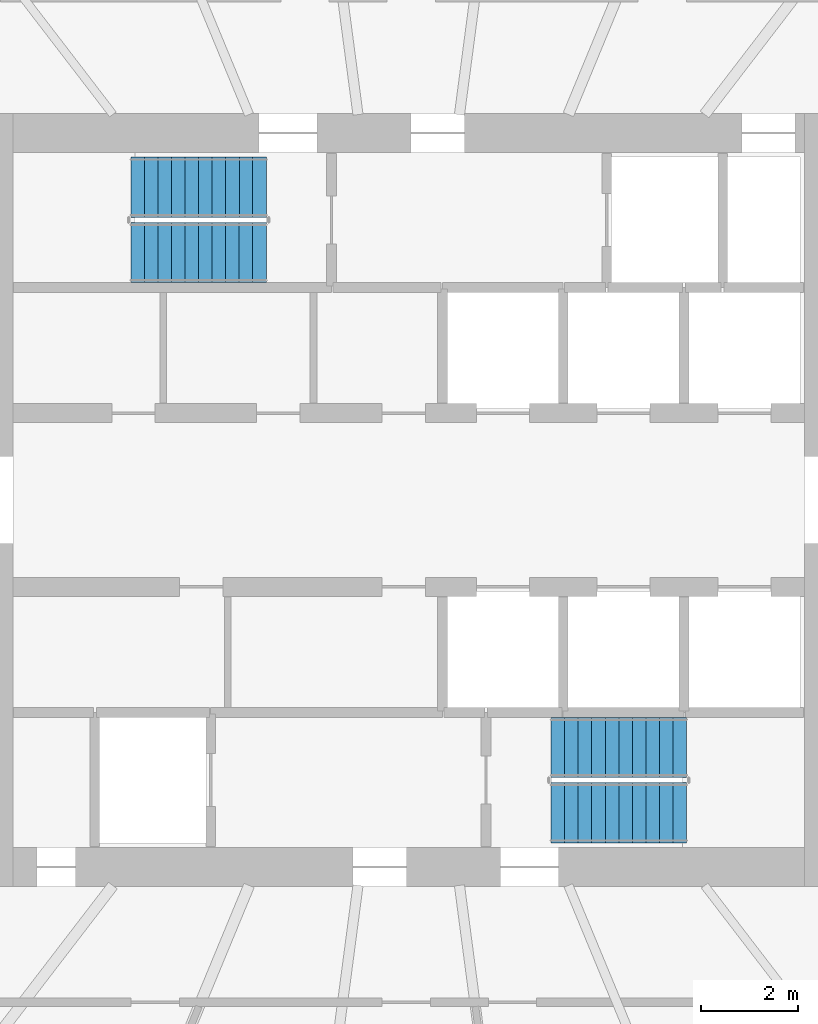
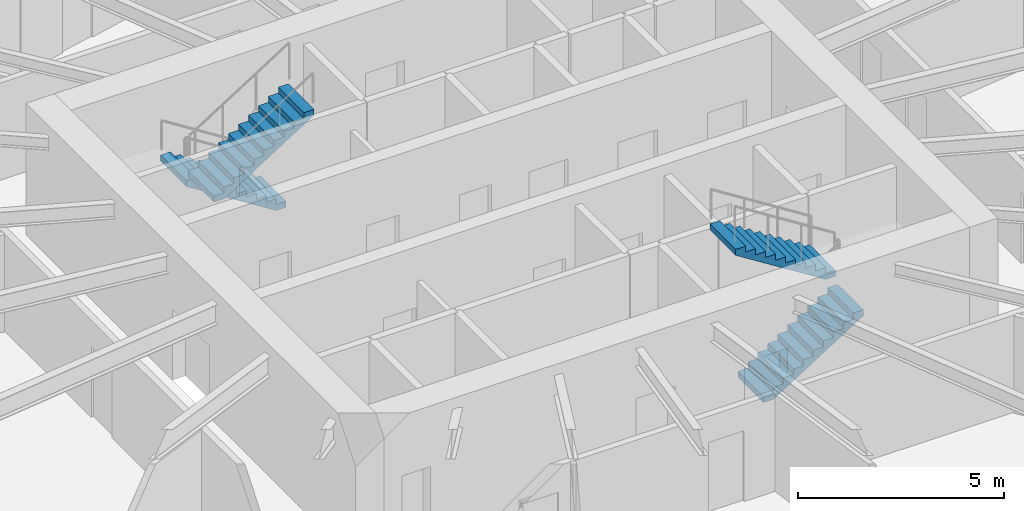
# One storey, part 12 of 15: 4 stair flights, 2 elements without a shape of their own.
"""IFC4 building model written with IfcOpenShell, lengths in metres."""

from ifc_helpers import new_model, si_unit, direction, frame, origin, place, context, subcontext, project, spatial, line, indexed_curve, outline, extrude, material, type_object, element, aggregate, save


model = new_model("IFC4")

# Units and contexts
model_context = context("Model", 3, precision=1e-05, world=origin(), true_north=direction((0.0, 1.0)))
body_context = subcontext(model_context, "Body", "Model", "MODEL_VIEW")
ifc_project = project(units=[si_unit("LENGTHUNIT", "METRE"), si_unit("AREAUNIT", "SQUARE_METRE"), si_unit("VOLUMEUNIT", "CUBIC_METRE"), si_unit("PLANEANGLEUNIT", "RADIAN"), si_unit("MASSUNIT", "GRAM", prefix="KILO")], contexts=[model_context])

# Site, building, storey
site_placement = place(None, origin())
site = spatial("IfcSite", under=ifc_project, at=site_placement, CompositionType="ELEMENT")
building_placement = place(site_placement, origin())
building = spatial("IfcBuilding", under=site, at=building_placement, Name="Spindrift Exchange Tower", CompositionType="ELEMENT")
storey_placement = place(building_placement, frame((0.0, 0.0, 172.10009765625)))
storey = spatial("IfcBuildingStorey", under=building, at=storey_placement, Name="L41", CompositionType="ELEMENT", Elevation=172.10009765625)

# Stair, stair flights
ifc_material = material(Name="Concrete 50 MPa", Category="concrete")
stair_type = type_object("IfcStairType", Name="ST-1250-R177", PredefinedType="HALF_TURN_STAIR", material=ifc_material)
stair_1_placement = place(storey_placement, origin())
stair_1 = element("IfcStair", 1, at=stair_1_placement, inside=storey, type_object=stair_type, Name="L41 Exit stair ST1", PredefinedType="HALF_TURN_STAIR")
stair_flight_type = type_object("IfcStairFlightType", Name="STF-1250-R177", PredefinedType="STRAIGHT", material=ifc_material)
stair_flight_1_placement = place(storey_placement, frame((49.050048828125, 54.47509765625, 0.0), z_axis=(0.0, 0.0, 1.0), x_axis=(-1.0, 0.0, 0.0)))
stair_flight_1 = element("IfcStairFlight", 2, at=stair_flight_1_placement, type_object=stair_flight_type, Name="ST1 flight 1", NumberOfRisers=11, NumberOfTreads=10, PredefinedType="STRAIGHT", RiserHeight=0.177272727, TreadLength=0.28, context=body_context, shape_type="SweptSolid", body=[
    extrude(outline(indexed_curve([(0.0, 0.0), (0.0, 0.177734375), (0.2802734375, 0.177734375), (0.2802734375, 0.3544921875), (0.5595703125, 0.3544921875), (0.5595703125, 0.5322265625), (0.83984375, 0.5322265625), (0.83984375, 0.708984375), (1.1201171875, 0.708984375), (1.1201171875, 0.88671875), (1.400390625, 0.88671875), (1.400390625, 1.0634765625), (1.6796875, 1.0634765625), (1.6796875, 1.2412109375), (1.9599609375, 1.2412109375), (1.9599609375, 1.41796875), (2.240234375, 1.41796875), (2.240234375, 1.595703125), (2.51953125, 1.595703125), (2.51953125, 1.7724609375), (2.7998046875, 1.7724609375), (2.7998046875, 1.9501953125), (2.7998046875, 1.595703125), (0.2802734375, 0.0)], segments=[line(1, 2, 3, 4, 5, 6, 7, 8, 9, 10, 11, 12, 13, 14, 15, 16, 17, 18, 19, 20, 21, 22, 23, 24, 1)], self_intersect=False)), frame((0.0, 0.625, 0.0), z_axis=(0.0, -1.0, 0.0), x_axis=(1.0, 0.0, 0.0)), (0.0, 0.0, 1.0), 1.25),
])
stair_flight_2_placement = place(storey_placement, frame((46.25, 53.125, 1.949951171875), z_axis=(0.0, 0.0, 1.0), x_axis=(1.0, 0.0, 0.0)))
stair_flight_2 = element("IfcStairFlight", 3, at=stair_flight_2_placement, type_object=stair_flight_type, Name="ST1 flight 2", NumberOfRisers=11, NumberOfTreads=10, PredefinedType="STRAIGHT", RiserHeight=0.177272727, TreadLength=0.28, context=body_context, shape_type="SweptSolid", body=[
    extrude(outline(indexed_curve([(0.0, 0.0), (0.0, 0.177734375), (0.2802734375, 0.177734375), (0.2802734375, 0.3544921875), (0.5595703125, 0.3544921875), (0.5595703125, 0.5322265625), (0.83984375, 0.5322265625), (0.83984375, 0.708984375), (1.1201171875, 0.708984375), (1.1201171875, 0.88671875), (1.400390625, 0.88671875), (1.400390625, 1.0634765625), (1.6796875, 1.0634765625), (1.6796875, 1.2412109375), (1.9599609375, 1.2412109375), (1.9599609375, 1.41796875), (2.240234375, 1.41796875), (2.240234375, 1.595703125), (2.51953125, 1.595703125), (2.51953125, 1.7724609375), (2.7998046875, 1.7724609375), (2.7998046875, 1.9501953125), (2.7998046875, 1.595703125), (0.2802734375, 0.0)], segments=[line(1, 2, 3, 4, 5, 6, 7, 8, 9, 10, 11, 12, 13, 14, 15, 16, 17, 18, 19, 20, 21, 22, 23, 24, 1)], self_intersect=False)), frame((0.0, 0.625, 0.0), z_axis=(0.0, -1.0, 0.0), x_axis=(1.0, 0.0, 0.0)), (0.0, 0.0, 1.0), 1.25),
])
aggregate(stair_1, [stair_flight_1, stair_flight_2])

stair_2_placement = place(storey_placement, origin())
stair_2 = element("IfcStair", 4, at=stair_2_placement, inside=storey, type_object=stair_type, Name="L41 Exit stair ST2", PredefinedType="HALF_TURN_STAIR")
stair_flight_3_placement = place(storey_placement, frame((54.949951171875, 41.52490234375, 0.0), z_axis=(0.0, 0.0, 1.0), x_axis=(1.0, 0.0, 0.0)))
stair_flight_3 = element("IfcStairFlight", 5, at=stair_flight_3_placement, type_object=stair_flight_type, Name="ST2 flight 1", NumberOfRisers=11, NumberOfTreads=10, PredefinedType="STRAIGHT", RiserHeight=0.177272727, TreadLength=0.28, context=body_context, shape_type="SweptSolid", body=[
    extrude(outline(indexed_curve([(0.0, 0.0), (0.0, 0.177734375), (0.2802734375, 0.177734375), (0.2802734375, 0.3544921875), (0.5595703125, 0.3544921875), (0.5595703125, 0.5322265625), (0.83984375, 0.5322265625), (0.83984375, 0.708984375), (1.1201171875, 0.708984375), (1.1201171875, 0.88671875), (1.400390625, 0.88671875), (1.400390625, 1.0634765625), (1.6796875, 1.0634765625), (1.6796875, 1.2412109375), (1.9599609375, 1.2412109375), (1.9599609375, 1.41796875), (2.240234375, 1.41796875), (2.240234375, 1.595703125), (2.51953125, 1.595703125), (2.51953125, 1.7724609375), (2.7998046875, 1.7724609375), (2.7998046875, 1.9501953125), (2.7998046875, 1.595703125), (0.2802734375, 0.0)], segments=[line(1, 2, 3, 4, 5, 6, 7, 8, 9, 10, 11, 12, 13, 14, 15, 16, 17, 18, 19, 20, 21, 22, 23, 24, 1)], self_intersect=False)), frame((0.0, 0.625, 0.0), z_axis=(0.0, -1.0, 0.0), x_axis=(1.0, 0.0, 0.0)), (0.0, 0.0, 1.0), 1.25),
])
stair_flight_4_placement = place(storey_placement, frame((57.75, 42.875, 1.949951171875), z_axis=(0.0, 0.0, 1.0), x_axis=(-1.0, 0.0, 0.0)))
stair_flight_4 = element("IfcStairFlight", 6, at=stair_flight_4_placement, type_object=stair_flight_type, Name="ST2 flight 2", NumberOfRisers=11, NumberOfTreads=10, PredefinedType="STRAIGHT", RiserHeight=0.177272727, TreadLength=0.28, context=body_context, shape_type="SweptSolid", body=[
    extrude(outline(indexed_curve([(0.0, 0.0), (0.0, 0.177734375), (0.2802734375, 0.177734375), (0.2802734375, 0.3544921875), (0.5595703125, 0.3544921875), (0.5595703125, 0.5322265625), (0.83984375, 0.5322265625), (0.83984375, 0.708984375), (1.1201171875, 0.708984375), (1.1201171875, 0.88671875), (1.400390625, 0.88671875), (1.400390625, 1.0634765625), (1.6796875, 1.0634765625), (1.6796875, 1.2412109375), (1.9599609375, 1.2412109375), (1.9599609375, 1.41796875), (2.240234375, 1.41796875), (2.240234375, 1.595703125), (2.51953125, 1.595703125), (2.51953125, 1.7724609375), (2.7998046875, 1.7724609375), (2.7998046875, 1.9501953125), (2.7998046875, 1.595703125), (0.2802734375, 0.0)], segments=[line(1, 2, 3, 4, 5, 6, 7, 8, 9, 10, 11, 12, 13, 14, 15, 16, 17, 18, 19, 20, 21, 22, 23, 24, 1)], self_intersect=False)), frame((0.0, 0.625, 0.0), z_axis=(0.0, -1.0, 0.0), x_axis=(1.0, 0.0, 0.0)), (0.0, 0.0, 1.0), 1.25),
])
aggregate(stair_2, [stair_flight_3, stair_flight_4])

save(model, "model.ifc")
